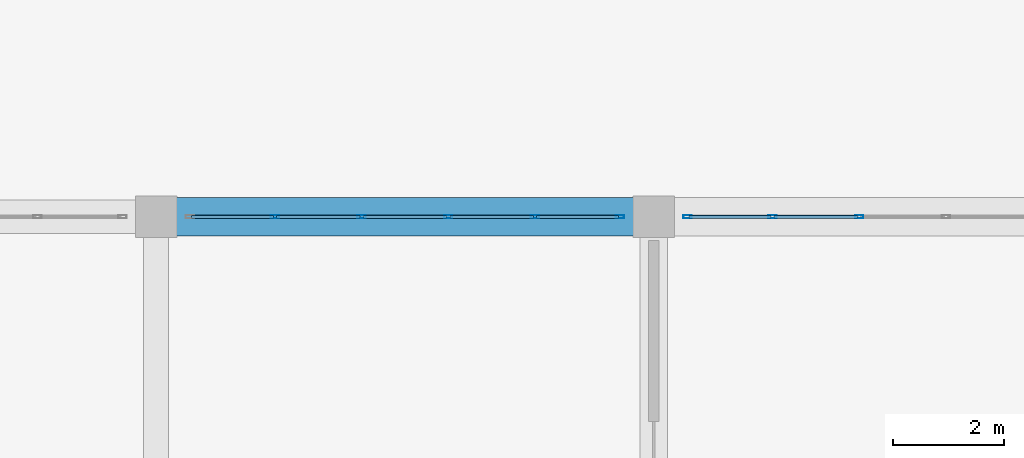
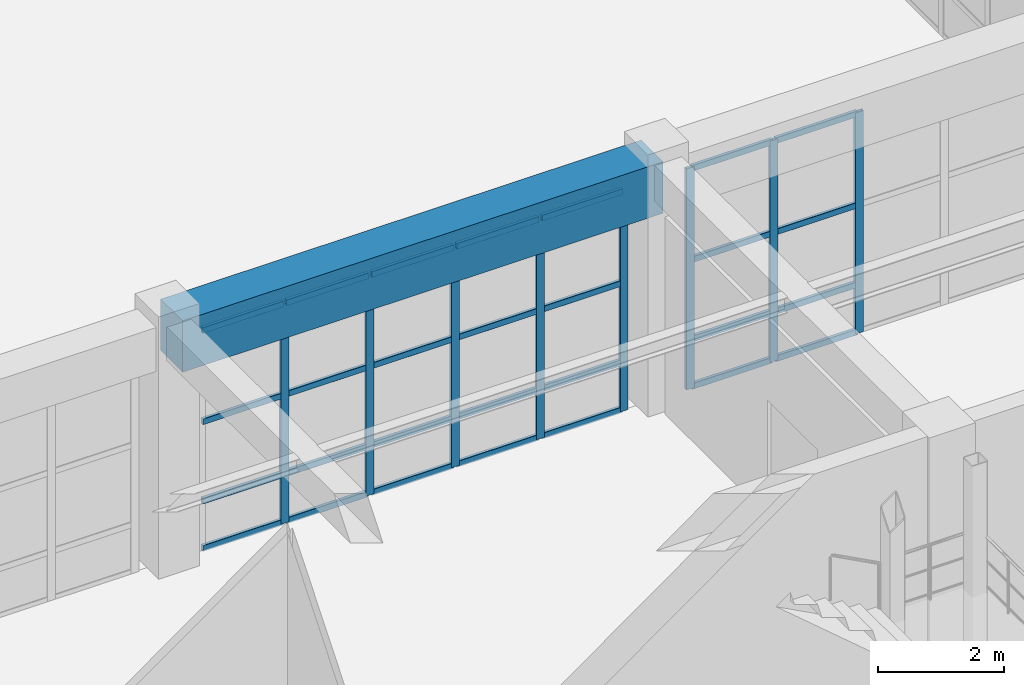
# One storey, part 57 of 128: 36 members, 1 beam, 2 elements without a shape of their own.
"""IFC4 building model written with IfcOpenShell, lengths in metres."""

import ifcopenshell
import ifcopenshell.guid

model = None  # the IFC model being written
_history = None  # IfcOwnerHistory: only IFC2X3 demands one
_inside = {}  # id of a spatial element -> (the spatial element, [elements in it])
_under = {}  # id of a project, library or spatial element -> (it, [spatial elements below it])
_declared = {}  # id of a project -> (the project, [libraries it declares])
_typed = {}  # id of a type object -> (the type object, [elements of that type])
_made_of = {}  # id of a material, layer set ... -> (it, [elements and type objects made of it])


def new_model(schema):
    """Start an empty IFC model of exactly this schema.

    Asked for "IFC4X3", IfcOpenShell would pick the latest addendum, in which some entities
    have other attributes; the version numbers below select the first issue.
    IFC2X3 requires an IfcOwnerHistory on every rooted entity: one is made here for all.
    """
    global model, _history
    if schema == "IFC4X3":
        model = ifcopenshell.file(schema_version=(4, 3, 0, 0))
    else:
        model = ifcopenshell.file(schema=schema)
    _inside.clear()
    _under.clear()
    _declared.clear()
    _typed.clear()
    _made_of.clear()
    _history = None
    if model.schema == "IFC2X3":
        org = make("IfcOrganization", Name="unknown")
        user = make(
            "IfcPersonAndOrganization",
            ThePerson=make("IfcPerson", FamilyName="unknown"),
            TheOrganization=org,
        )
        app = make(
            "IfcApplication",
            ApplicationDeveloper=org,
            Version="unknown",
            ApplicationFullName="unknown",
            ApplicationIdentifier="unknown",
        )
        _history = make(
            "IfcOwnerHistory",
            OwningUser=user,
            OwningApplication=app,
            ChangeAction="ADDED",
            CreationDate=0,
        )
    return model


def make(cls, **values):
    """One entity of the class cls with the attributes given. An attribute that is None is left unset."""
    return model.create_entity(
        cls, **{name: value for name, value in values.items() if value is not None}
    )


def rooted(cls, **values):
    """An entity with a GlobalId (a new one), such as an element, a storey or a relation."""
    return make(cls, GlobalId=ifcopenshell.guid.new(), OwnerHistory=_history, **values)


def si_unit(unit_type, name, prefix=None):
    """IfcSIUnit, for example si_unit("LENGTHUNIT", "METRE", prefix="MILLI")."""
    return make("IfcSIUnit", UnitType=unit_type, Prefix=prefix, Name=name)


def assignment(units):
    """IfcUnitAssignment: the units of a project."""
    return None if units is None else make("IfcUnitAssignment", Units=units)


def point(xyz):
    """IfcCartesianPoint."""
    return None if xyz is None else make("IfcCartesianPoint", Coordinates=xyz)


def direction(xyz):
    """IfcDirection."""
    return None if xyz is None else make("IfcDirection", DirectionRatios=xyz)


def frame(location, z_axis=None, x_axis=None):
    """IfcAxis2Placement3D, a coordinate frame: its origin and axes. An axis left out is left unset."""
    return make(
        "IfcAxis2Placement3D",
        Location=point(location),
        Axis=direction(z_axis),
        RefDirection=direction(x_axis),
    )


def frame_2d(location, x_axis=None):
    """IfcAxis2Placement2D, a coordinate frame in the plane: its origin and x axis."""
    return make(
        "IfcAxis2Placement2D", Location=point(location), RefDirection=direction(x_axis)
    )


def origin():
    """The frame at (0, 0, 0) with its axes left unset."""
    return frame((0.0, 0.0, 0.0))


def origin_2d():
    """The frame at (0, 0) in the plane with its x axis left unset."""
    return frame_2d((0.0, 0.0))


def place(relative_to, where):
    """IfcLocalPlacement: puts the frame where relative to a parent placement (None: the world)."""
    return make(
        "IfcLocalPlacement", PlacementRelTo=relative_to, RelativePlacement=where
    )


def context(
    kind, dimensions, precision=None, world=None, true_north=None, identifier=None
):
    """IfcGeometricRepresentationContext, for example the 3D "Model" context."""
    return make(
        "IfcGeometricRepresentationContext",
        ContextIdentifier=identifier,
        ContextType=kind,
        CoordinateSpaceDimension=dimensions,
        Precision=precision,
        WorldCoordinateSystem=world,
        TrueNorth=true_north,
    )


def subcontext(parent, identifier, kind, view, scale=None):
    """IfcGeometricRepresentationSubContext, for example "Body" below "Model"."""
    return make(
        "IfcGeometricRepresentationSubContext",
        ContextIdentifier=identifier,
        ContextType=kind,
        ParentContext=parent,
        TargetScale=scale,
        TargetView=view,
    )


def project(units=None, contexts=None):
    """IfcProject with its units and contexts."""
    return rooted(
        "IfcProject",
        Name="project",
        RepresentationContexts=contexts,
        UnitsInContext=assignment(units),
    )


def spatial(cls, under=None, at=None, **own):
    """A site, building, storey or space (cls), placed at a placement, below another one or the project."""
    s = rooted(cls, ObjectPlacement=at, **own)
    if under is not None:
        _under.setdefault(under.id(), (under, []))[1].append(s)
    return s


def profile(cls, at=None, kind="AREA", **sizes):
    """A parametric profile (cls). Its sizes go by their IFC names, for example OverallWidth=200.0."""
    return make(cls, ProfileType=kind, Position=at, **sizes)


def rectangle(**sizes):
    """IfcRectangleProfileDef."""
    return profile("IfcRectangleProfileDef", **sizes)


def hollow_rectangle(**sizes):
    """IfcRectangleHollowProfileDef."""
    return profile("IfcRectangleHollowProfileDef", **sizes)


def extrude(swept, where, along, depth):
    """IfcExtrudedAreaSolid: the profile swept, set in the frame where, extruded along a direction by depth."""
    return make(
        "IfcExtrudedAreaSolid",
        SweptArea=swept,
        Position=where,
        ExtrudedDirection=direction(along),
        Depth=depth,
    )


def shape(context_of_items, identifier, shape_type, items):
    """IfcShapeRepresentation: the items that make up one representation, for example the "Body"."""
    return make(
        "IfcShapeRepresentation",
        ContextOfItems=context_of_items,
        RepresentationIdentifier=identifier,
        RepresentationType=shape_type,
        Items=items,
    )


def material(Name=None, Category=None):
    """IfcMaterial."""
    return make("IfcMaterial", Name=Name, Category=Category)


def material_profile(
    of_material, cross_section, Name=None, Category=None, Priority=None
):
    """IfcMaterialProfile: a cross section and its material."""
    return make(
        "IfcMaterialProfile",
        Name=Name,
        Material=of_material,
        Profile=cross_section,
        Priority=Priority,
        Category=Category,
    )


def profile_set(profiles, Name=None, composite=None):
    """IfcMaterialProfileSet."""
    return make(
        "IfcMaterialProfileSet",
        Name=Name,
        MaterialProfiles=profiles,
        CompositeProfile=composite,
    )


def made_of(thing, what):
    """Note that an element or type object is made of a material, layer set ...; save() writes the relation."""
    if what is not None:
        _made_of.setdefault(what.id(), (what, []))[1].append(thing)
    return thing


def type_object(cls, material=None, **own):
    """A type object (cls), such as IfcWallType, which elements share."""
    return made_of(rooted(cls, **own), material)


def element(
    cls,
    number,
    at=None,
    inside=None,
    cuts=None,
    type_object=None,
    material=None,
    context=None,
    identifier="Body",
    shape_type=None,
    held_by="IfcProductDefinitionShape",
    body=None,
    shapes=None,
    **own,
):
    """One element of the class cls, such as IfcWall. Its Tag is "e" and its number.

    at: its placement. inside: the storey or other place that contains it. cuts: it is an
    opening in that element (IfcRelVoidsElement). A single representation is given by context,
    identifier, shape_type and body (its items); several are given by shapes. held_by: the class
    of the entity that holds the representations. save() writes the other relations.
    """
    e = rooted(cls, Tag="e%d" % number, ObjectPlacement=at, **own)
    if body is not None:
        shapes = [shape(context, identifier, shape_type, body)]
    if shapes is not None:
        e.Representation = make(held_by, Representations=shapes)
    if inside is not None:
        _inside.setdefault(inside.id(), (inside, []))[1].append(e)
    if cuts is not None:
        rooted(
            "IfcRelVoidsElement", RelatingBuildingElement=cuts, RelatedOpeningElement=e
        )
    if type_object is not None:
        _typed.setdefault(type_object.id(), (type_object, []))[1].append(e)
    return made_of(e, material)


def aggregate(whole, parts):
    """IfcRelAggregates: a whole, such as a stair, and the parts it consists of."""
    return rooted("IfcRelAggregates", RelatingObject=whole, RelatedObjects=parts)


def save(model, path):
    """Write the relations noted so far, then the file.

    IfcRelAggregates (storeys below a building ...), IfcRelContainedInSpatialStructure (elements
    in a storey), IfcRelDefinesByType, IfcRelAssociatesMaterial and IfcRelDeclares: one each for
    every whole, place, type object, material and project.
    """
    for whole, parts in _under.values():
        aggregate(whole, parts)
    for where, things in _inside.values():
        rooted(
            "IfcRelContainedInSpatialStructure",
            RelatedElements=things,
            RelatingStructure=where,
        )
    for kind, things in _typed.values():
        rooted("IfcRelDefinesByType", RelatedObjects=things, RelatingType=kind)
    for what, things in _made_of.values():
        rooted("IfcRelAssociatesMaterial", RelatedObjects=things, RelatingMaterial=what)
    for by, libraries in _declared.values():
        rooted("IfcRelDeclares", RelatingContext=by, RelatedDefinitions=libraries)
    model.write(path)


model = new_model("IFC4")

# Units and contexts
model_context = context("Model", 3, precision=1e-05, world=origin(), true_north=direction((0.0, 1.0)))
body_context = subcontext(model_context, "Body", "Model", "MODEL_VIEW")
ifc_project = project(units=[si_unit("LENGTHUNIT", "METRE"), si_unit("AREAUNIT", "SQUARE_METRE"), si_unit("VOLUMEUNIT", "CUBIC_METRE"), si_unit("PLANEANGLEUNIT", "RADIAN"), si_unit("MASSUNIT", "GRAM", prefix="KILO")], contexts=[model_context])

# Site, building, storey
site_placement = place(None, origin())
site = spatial("IfcSite", under=ifc_project, at=site_placement, CompositionType="ELEMENT")
building_placement = place(site_placement, origin())
building = spatial("IfcBuilding", under=site, at=building_placement, Name="Miravela Opera House", CompositionType="ELEMENT")
storey_placement = place(building_placement, origin())
storey = spatial("IfcBuildingStorey", under=building, at=storey_placement, Name="L00", CompositionType="ELEMENT", Elevation=0.0)

# Curtain wall, members
ifc_material_1 = material(Name="Anodised architectural bronze aluminium 6063-T6", Category="aluminium")
curtain_wall_type = type_object("IfcCurtainWallType", Name="ARC-CW-04", PredefinedType="NOTDEFINED", material=ifc_material_1)
curtain_wall_1_placement = place(storey_placement, origin())
curtain_wall_1 = element("IfcCurtainWall", 1, at=curtain_wall_1_placement, inside=storey, type_object=curtain_wall_type, Name="Courtyard Arcade Curtain Wall CW-L00-069", PredefinedType="NOTDEFINED")
ifc_material_profile_1 = material_profile(ifc_material_1, hollow_rectangle(XDim=0.06005859375, YDim=0.14990234375, WallThickness=0.00390625, InnerFilletRadius=0.001953125, OuterFilletRadius=0.00390625, at=origin_2d()), Name="CWM-60X150")
ifc_profile_set_1 = profile_set([ifc_material_profile_1])
member_type_1 = type_object("IfcMemberType", Name="ARC-CWM-150", PredefinedType="MULLION", material=ifc_profile_set_1)
member_1_placement = place(storey_placement, frame((47.14794921875, 84.0, 0.0), z_axis=(0.0, 0.0, 1.0), x_axis=(0.0, 1.0, 0.0)))
member_1 = element("IfcMember", 2, at=member_1_placement, type_object=member_type_1, Name="CW-04 mullion 2", PredefinedType="MULLION", context=body_context, shape_type="SweptSolid", body=[
    extrude(hollow_rectangle(XDim=0.06005859375, YDim=0.14990234375, WallThickness=0.00390625, InnerFilletRadius=0.001953125, OuterFilletRadius=0.00390625, at=origin_2d()), origin(), (0.0, 0.0, 1.0), 4.300048828125),
])
member_2_placement = place(storey_placement, frame((48.716064453125, 84.0, 0.0), z_axis=(0.0, 0.0, 1.0), x_axis=(0.0, 1.0, 0.0)))
member_2 = element("IfcMember", 3, at=member_2_placement, type_object=member_type_1, Name="CW-04 mullion 3", PredefinedType="MULLION", context=body_context, shape_type="SweptSolid", body=[
    extrude(hollow_rectangle(XDim=0.06005859375, YDim=0.14990234375, WallThickness=0.00390625, InnerFilletRadius=0.001953125, OuterFilletRadius=0.00390625, at=origin_2d()), origin(), (0.0, 0.0, 1.0), 4.300048828125),
])
member_3_placement = place(storey_placement, frame((50.283935546875, 84.0, 0.0), z_axis=(0.0, 0.0, 1.0), x_axis=(0.0, 1.0, 0.0)))
member_3 = element("IfcMember", 4, at=member_3_placement, type_object=member_type_1, Name="CW-04 mullion 4", PredefinedType="MULLION", context=body_context, shape_type="SweptSolid", body=[
    extrude(hollow_rectangle(XDim=0.06005859375, YDim=0.14990234375, WallThickness=0.00390625, InnerFilletRadius=0.001953125, OuterFilletRadius=0.00390625, at=origin_2d()), origin(), (0.0, 0.0, 1.0), 4.300048828125),
])
member_4_placement = place(storey_placement, frame((51.85205078125, 84.0, 0.0), z_axis=(0.0, 0.0, 1.0), x_axis=(0.0, 1.0, 0.0)))
member_4 = element("IfcMember", 5, at=member_4_placement, type_object=member_type_1, Name="CW-04 mullion 5", PredefinedType="MULLION", context=body_context, shape_type="SweptSolid", body=[
    extrude(hollow_rectangle(XDim=0.06005859375, YDim=0.14990234375, WallThickness=0.00390625, InnerFilletRadius=0.001953125, OuterFilletRadius=0.00390625, at=origin_2d()), origin(), (0.0, 0.0, 1.0), 4.300048828125),
])
member_5_placement = place(storey_placement, frame((53.389892578125, 84.0, 0.0), z_axis=(0.0, 0.0, 1.0), x_axis=(0.0, 1.0, 0.0)))
member_5 = element("IfcMember", 6, at=member_5_placement, type_object=member_type_1, Name="CW-04 mullion 6", PredefinedType="MULLION", context=body_context, shape_type="SweptSolid", body=[
    extrude(hollow_rectangle(XDim=0.06005859375, YDim=0.14990234375, WallThickness=0.00390625, InnerFilletRadius=0.001953125, OuterFilletRadius=0.00390625, at=origin_2d()), origin(), (0.0, 0.0, 1.0), 4.300048828125),
])

curtain_wall_2_placement = place(storey_placement, origin())
curtain_wall_2 = element("IfcCurtainWall", 7, at=curtain_wall_2_placement, inside=storey, type_object=curtain_wall_type, Name="Courtyard Arcade Curtain Wall CW-L00-070", PredefinedType="NOTDEFINED")
member_6_placement = place(storey_placement, frame((54.610107421875, 84.0, 0.0), z_axis=(0.0, 0.0, 1.0), x_axis=(0.0, 1.0, 0.0)))
member_6 = element("IfcMember", 8, at=member_6_placement, type_object=member_type_1, Name="CW-04 mullion 1", PredefinedType="MULLION", context=body_context, shape_type="SweptSolid", body=[
    extrude(hollow_rectangle(XDim=0.06005859375, YDim=0.14990234375, WallThickness=0.00390625, InnerFilletRadius=0.001953125, OuterFilletRadius=0.00390625, at=origin_2d()), origin(), (0.0, 0.0, 1.0), 4.300048828125),
])
member_7_placement = place(storey_placement, frame((56.14794921875, 84.0, 0.0), z_axis=(0.0, 0.0, 1.0), x_axis=(0.0, 1.0, 0.0)))
member_7 = element("IfcMember", 9, at=member_7_placement, type_object=member_type_1, Name="CW-04 mullion 2", PredefinedType="MULLION", context=body_context, shape_type="SweptSolid", body=[
    extrude(hollow_rectangle(XDim=0.06005859375, YDim=0.14990234375, WallThickness=0.00390625, InnerFilletRadius=0.001953125, OuterFilletRadius=0.00390625, at=origin_2d()), origin(), (0.0, 0.0, 1.0), 4.300048828125),
])
member_8_placement = place(storey_placement, frame((57.716064453125, 84.0, 0.0), z_axis=(0.0, 0.0, 1.0), x_axis=(0.0, 1.0, 0.0)))
member_8 = element("IfcMember", 10, at=member_8_placement, type_object=member_type_1, Name="CW-04 mullion 3", PredefinedType="MULLION", context=body_context, shape_type="SweptSolid", body=[
    extrude(hollow_rectangle(XDim=0.06005859375, YDim=0.14990234375, WallThickness=0.00390625, InnerFilletRadius=0.001953125, OuterFilletRadius=0.00390625, at=origin_2d()), origin(), (0.0, 0.0, 1.0), 4.300048828125),
])

# Member
ifc_material_profile_2 = material_profile(ifc_material_1, hollow_rectangle(XDim=0.06005859375, YDim=0.114990234375, WallThickness=0.00390625, InnerFilletRadius=0.001953125, OuterFilletRadius=0.00390625, at=origin_2d()), Name="CWT-60X115")
ifc_profile_set_2 = profile_set([ifc_material_profile_2])
member_type_2 = type_object("IfcMemberType", Name="ARC-CWT-115", PredefinedType="USERDEFINED", material=ifc_profile_set_2)
member_9_placement = place(storey_placement, frame((45.639892578125, 84.0, 0.030029296875), z_axis=(1.0, 0.0, 0.0), x_axis=(0.0, 1.0, 0.0)))
member_9 = element("IfcMember", 11, at=member_9_placement, type_object=member_type_2, Name="CW-04 transom 1.1", ObjectType="TRANSOM", PredefinedType="USERDEFINED", context=body_context, shape_type="SweptSolid", body=[
    extrude(hollow_rectangle(XDim=0.06005859375, YDim=0.114990234375, WallThickness=0.00390625, InnerFilletRadius=0.001953125, OuterFilletRadius=0.00390625, at=origin_2d()), origin(), (0.0, 0.0, 1.0), 1.47802734375),
])

member_10_placement = place(storey_placement, frame((45.639892578125, 84.0, 0.949951171875), z_axis=(1.0, 0.0, 0.0), x_axis=(0.0, 1.0, 0.0)))
member_10 = element("IfcMember", 12, at=member_10_placement, type_object=member_type_2, Name="CW-04 transom 1.2", ObjectType="TRANSOM", PredefinedType="USERDEFINED", context=body_context, shape_type="SweptSolid", body=[
    extrude(hollow_rectangle(XDim=0.06005859375, YDim=0.114990234375, WallThickness=0.00390625, InnerFilletRadius=0.001953125, OuterFilletRadius=0.00390625, at=origin_2d()), origin(), (0.0, 0.0, 1.0), 1.47802734375),
])

member_11_placement = place(storey_placement, frame((45.639892578125, 84.0, 2.493896484375), z_axis=(1.0, 0.0, 0.0), x_axis=(0.0, 1.0, 0.0)))
member_11 = element("IfcMember", 13, at=member_11_placement, type_object=member_type_2, Name="CW-04 transom 1.3", ObjectType="TRANSOM", PredefinedType="USERDEFINED", context=body_context, shape_type="SweptSolid", body=[
    extrude(hollow_rectangle(XDim=0.06005859375, YDim=0.114990234375, WallThickness=0.00390625, InnerFilletRadius=0.001953125, OuterFilletRadius=0.00390625, at=origin_2d()), origin(), (0.0, 0.0, 1.0), 1.47802734375),
])

member_12_placement = place(storey_placement, frame((45.639892578125, 84.0, 4.27001953125), z_axis=(1.0, 0.0, 0.0), x_axis=(0.0, 1.0, 0.0)))
member_12 = element("IfcMember", 14, at=member_12_placement, type_object=member_type_2, Name="CW-04 transom 1.4", ObjectType="TRANSOM", PredefinedType="USERDEFINED", context=body_context, shape_type="SweptSolid", body=[
    extrude(hollow_rectangle(XDim=0.06005859375, YDim=0.114990234375, WallThickness=0.00390625, InnerFilletRadius=0.001953125, OuterFilletRadius=0.00390625, at=origin_2d()), origin(), (0.0, 0.0, 1.0), 1.47802734375),
])

member_13_placement = place(storey_placement, frame((47.177978515625, 84.0, 0.030029296875), z_axis=(1.0, 0.0, 0.0), x_axis=(0.0, 1.0, 0.0)))
member_13 = element("IfcMember", 15, at=member_13_placement, type_object=member_type_2, Name="CW-04 transom 2.1", ObjectType="TRANSOM", PredefinedType="USERDEFINED", context=body_context, shape_type="SweptSolid", body=[
    extrude(hollow_rectangle(XDim=0.06005859375, YDim=0.114990234375, WallThickness=0.00390625, InnerFilletRadius=0.001953125, OuterFilletRadius=0.00390625, at=origin_2d()), origin(), (0.0, 0.0, 1.0), 1.508056640625),
])

member_14_placement = place(storey_placement, frame((47.177978515625, 84.0, 0.949951171875), z_axis=(1.0, 0.0, 0.0), x_axis=(0.0, 1.0, 0.0)))
member_14 = element("IfcMember", 16, at=member_14_placement, type_object=member_type_2, Name="CW-04 transom 2.2", ObjectType="TRANSOM", PredefinedType="USERDEFINED", context=body_context, shape_type="SweptSolid", body=[
    extrude(hollow_rectangle(XDim=0.06005859375, YDim=0.114990234375, WallThickness=0.00390625, InnerFilletRadius=0.001953125, OuterFilletRadius=0.00390625, at=origin_2d()), origin(), (0.0, 0.0, 1.0), 1.508056640625),
])

member_15_placement = place(storey_placement, frame((47.177978515625, 84.0, 2.493896484375), z_axis=(1.0, 0.0, 0.0), x_axis=(0.0, 1.0, 0.0)))
member_15 = element("IfcMember", 17, at=member_15_placement, type_object=member_type_2, Name="CW-04 transom 2.3", ObjectType="TRANSOM", PredefinedType="USERDEFINED", context=body_context, shape_type="SweptSolid", body=[
    extrude(hollow_rectangle(XDim=0.06005859375, YDim=0.114990234375, WallThickness=0.00390625, InnerFilletRadius=0.001953125, OuterFilletRadius=0.00390625, at=origin_2d()), origin(), (0.0, 0.0, 1.0), 1.508056640625),
])

member_16_placement = place(storey_placement, frame((47.177978515625, 84.0, 4.27001953125), z_axis=(1.0, 0.0, 0.0), x_axis=(0.0, 1.0, 0.0)))
member_16 = element("IfcMember", 18, at=member_16_placement, type_object=member_type_2, Name="CW-04 transom 2.4", ObjectType="TRANSOM", PredefinedType="USERDEFINED", context=body_context, shape_type="SweptSolid", body=[
    extrude(hollow_rectangle(XDim=0.06005859375, YDim=0.114990234375, WallThickness=0.00390625, InnerFilletRadius=0.001953125, OuterFilletRadius=0.00390625, at=origin_2d()), origin(), (0.0, 0.0, 1.0), 1.508056640625),
])

member_17_placement = place(storey_placement, frame((48.74609375, 84.0, 0.030029296875), z_axis=(1.0, 0.0, 0.0), x_axis=(0.0, 1.0, 0.0)))
member_17 = element("IfcMember", 19, at=member_17_placement, type_object=member_type_2, Name="CW-04 transom 3.1", ObjectType="TRANSOM", PredefinedType="USERDEFINED", context=body_context, shape_type="SweptSolid", body=[
    extrude(hollow_rectangle(XDim=0.06005859375, YDim=0.114990234375, WallThickness=0.00390625, InnerFilletRadius=0.001953125, OuterFilletRadius=0.00390625, at=origin_2d()), origin(), (0.0, 0.0, 1.0), 1.5078125),
])

member_18_placement = place(storey_placement, frame((48.74609375, 84.0, 0.949951171875), z_axis=(1.0, 0.0, 0.0), x_axis=(0.0, 1.0, 0.0)))
member_18 = element("IfcMember", 20, at=member_18_placement, type_object=member_type_2, Name="CW-04 transom 3.2", ObjectType="TRANSOM", PredefinedType="USERDEFINED", context=body_context, shape_type="SweptSolid", body=[
    extrude(hollow_rectangle(XDim=0.06005859375, YDim=0.114990234375, WallThickness=0.00390625, InnerFilletRadius=0.001953125, OuterFilletRadius=0.00390625, at=origin_2d()), origin(), (0.0, 0.0, 1.0), 1.5078125),
])

member_19_placement = place(storey_placement, frame((48.74609375, 84.0, 2.493896484375), z_axis=(1.0, 0.0, 0.0), x_axis=(0.0, 1.0, 0.0)))
member_19 = element("IfcMember", 21, at=member_19_placement, type_object=member_type_2, Name="CW-04 transom 3.3", ObjectType="TRANSOM", PredefinedType="USERDEFINED", context=body_context, shape_type="SweptSolid", body=[
    extrude(hollow_rectangle(XDim=0.06005859375, YDim=0.114990234375, WallThickness=0.00390625, InnerFilletRadius=0.001953125, OuterFilletRadius=0.00390625, at=origin_2d()), origin(), (0.0, 0.0, 1.0), 1.5078125),
])

member_20_placement = place(storey_placement, frame((48.74609375, 84.0, 4.27001953125), z_axis=(1.0, 0.0, 0.0), x_axis=(0.0, 1.0, 0.0)))
member_20 = element("IfcMember", 22, at=member_20_placement, type_object=member_type_2, Name="CW-04 transom 3.4", ObjectType="TRANSOM", PredefinedType="USERDEFINED", context=body_context, shape_type="SweptSolid", body=[
    extrude(hollow_rectangle(XDim=0.06005859375, YDim=0.114990234375, WallThickness=0.00390625, InnerFilletRadius=0.001953125, OuterFilletRadius=0.00390625, at=origin_2d()), origin(), (0.0, 0.0, 1.0), 1.5078125),
])

member_21_placement = place(storey_placement, frame((50.31396484375, 84.0, 0.030029296875), z_axis=(1.0, 0.0, 0.0), x_axis=(0.0, 1.0, 0.0)))
member_21 = element("IfcMember", 23, at=member_21_placement, type_object=member_type_2, Name="CW-04 transom 4.1", ObjectType="TRANSOM", PredefinedType="USERDEFINED", context=body_context, shape_type="SweptSolid", body=[
    extrude(hollow_rectangle(XDim=0.06005859375, YDim=0.114990234375, WallThickness=0.00390625, InnerFilletRadius=0.001953125, OuterFilletRadius=0.00390625, at=origin_2d()), origin(), (0.0, 0.0, 1.0), 1.508056640625),
])

member_22_placement = place(storey_placement, frame((50.31396484375, 84.0, 0.949951171875), z_axis=(1.0, 0.0, 0.0), x_axis=(0.0, 1.0, 0.0)))
member_22 = element("IfcMember", 24, at=member_22_placement, type_object=member_type_2, Name="CW-04 transom 4.2", ObjectType="TRANSOM", PredefinedType="USERDEFINED", context=body_context, shape_type="SweptSolid", body=[
    extrude(hollow_rectangle(XDim=0.06005859375, YDim=0.114990234375, WallThickness=0.00390625, InnerFilletRadius=0.001953125, OuterFilletRadius=0.00390625, at=origin_2d()), origin(), (0.0, 0.0, 1.0), 1.508056640625),
])

member_23_placement = place(storey_placement, frame((50.31396484375, 84.0, 2.493896484375), z_axis=(1.0, 0.0, 0.0), x_axis=(0.0, 1.0, 0.0)))
member_23 = element("IfcMember", 25, at=member_23_placement, type_object=member_type_2, Name="CW-04 transom 4.3", ObjectType="TRANSOM", PredefinedType="USERDEFINED", context=body_context, shape_type="SweptSolid", body=[
    extrude(hollow_rectangle(XDim=0.06005859375, YDim=0.114990234375, WallThickness=0.00390625, InnerFilletRadius=0.001953125, OuterFilletRadius=0.00390625, at=origin_2d()), origin(), (0.0, 0.0, 1.0), 1.508056640625),
])

member_24_placement = place(storey_placement, frame((50.31396484375, 84.0, 4.27001953125), z_axis=(1.0, 0.0, 0.0), x_axis=(0.0, 1.0, 0.0)))
member_24 = element("IfcMember", 26, at=member_24_placement, type_object=member_type_2, Name="CW-04 transom 4.4", ObjectType="TRANSOM", PredefinedType="USERDEFINED", context=body_context, shape_type="SweptSolid", body=[
    extrude(hollow_rectangle(XDim=0.06005859375, YDim=0.114990234375, WallThickness=0.00390625, InnerFilletRadius=0.001953125, OuterFilletRadius=0.00390625, at=origin_2d()), origin(), (0.0, 0.0, 1.0), 1.508056640625),
])

member_25_placement = place(storey_placement, frame((51.882080078125, 84.0, 0.030029296875), z_axis=(1.0, 0.0, 0.0), x_axis=(0.0, 1.0, 0.0)))
member_25 = element("IfcMember", 27, at=member_25_placement, type_object=member_type_2, Name="CW-04 transom 5.1", ObjectType="TRANSOM", PredefinedType="USERDEFINED", context=body_context, shape_type="SweptSolid", body=[
    extrude(hollow_rectangle(XDim=0.06005859375, YDim=0.114990234375, WallThickness=0.00390625, InnerFilletRadius=0.001953125, OuterFilletRadius=0.00390625, at=origin_2d()), origin(), (0.0, 0.0, 1.0), 1.47802734375),
])

member_26_placement = place(storey_placement, frame((51.882080078125, 84.0, 0.949951171875), z_axis=(1.0, 0.0, 0.0), x_axis=(0.0, 1.0, 0.0)))
member_26 = element("IfcMember", 28, at=member_26_placement, type_object=member_type_2, Name="CW-04 transom 5.2", ObjectType="TRANSOM", PredefinedType="USERDEFINED", context=body_context, shape_type="SweptSolid", body=[
    extrude(hollow_rectangle(XDim=0.06005859375, YDim=0.114990234375, WallThickness=0.00390625, InnerFilletRadius=0.001953125, OuterFilletRadius=0.00390625, at=origin_2d()), origin(), (0.0, 0.0, 1.0), 1.47802734375),
])

member_27_placement = place(storey_placement, frame((51.882080078125, 84.0, 2.493896484375), z_axis=(1.0, 0.0, 0.0), x_axis=(0.0, 1.0, 0.0)))
member_27 = element("IfcMember", 29, at=member_27_placement, type_object=member_type_2, Name="CW-04 transom 5.3", ObjectType="TRANSOM", PredefinedType="USERDEFINED", context=body_context, shape_type="SweptSolid", body=[
    extrude(hollow_rectangle(XDim=0.06005859375, YDim=0.114990234375, WallThickness=0.00390625, InnerFilletRadius=0.001953125, OuterFilletRadius=0.00390625, at=origin_2d()), origin(), (0.0, 0.0, 1.0), 1.47802734375),
])

member_28_placement = place(storey_placement, frame((51.882080078125, 84.0, 4.27001953125), z_axis=(1.0, 0.0, 0.0), x_axis=(0.0, 1.0, 0.0)))
member_28 = element("IfcMember", 30, at=member_28_placement, type_object=member_type_2, Name="CW-04 transom 5.4", ObjectType="TRANSOM", PredefinedType="USERDEFINED", context=body_context, shape_type="SweptSolid", body=[
    extrude(hollow_rectangle(XDim=0.06005859375, YDim=0.114990234375, WallThickness=0.00390625, InnerFilletRadius=0.001953125, OuterFilletRadius=0.00390625, at=origin_2d()), origin(), (0.0, 0.0, 1.0), 1.47802734375),
])

aggregate(curtain_wall_1, [member_1, member_2, member_3, member_4, member_5, member_9, member_10, member_11, member_12, member_13, member_14, member_15, member_16, member_17, member_18, member_19, member_20, member_21, member_22, member_23, member_24, member_25, member_26, member_27, member_28])

member_29_placement = place(storey_placement, frame((54.639892578125, 84.0, 0.030029296875), z_axis=(1.0, 0.0, 0.0), x_axis=(0.0, 1.0, 0.0)))
member_29 = element("IfcMember", 31, at=member_29_placement, type_object=member_type_2, Name="CW-04 transom 1.1", ObjectType="TRANSOM", PredefinedType="USERDEFINED", context=body_context, shape_type="SweptSolid", body=[
    extrude(hollow_rectangle(XDim=0.06005859375, YDim=0.114990234375, WallThickness=0.00390625, InnerFilletRadius=0.001953125, OuterFilletRadius=0.00390625, at=origin_2d()), origin(), (0.0, 0.0, 1.0), 1.47802734375),
])

member_30_placement = place(storey_placement, frame((54.639892578125, 84.0, 0.949951171875), z_axis=(1.0, 0.0, 0.0), x_axis=(0.0, 1.0, 0.0)))
member_30 = element("IfcMember", 32, at=member_30_placement, type_object=member_type_2, Name="CW-04 transom 1.2", ObjectType="TRANSOM", PredefinedType="USERDEFINED", context=body_context, shape_type="SweptSolid", body=[
    extrude(hollow_rectangle(XDim=0.06005859375, YDim=0.114990234375, WallThickness=0.00390625, InnerFilletRadius=0.001953125, OuterFilletRadius=0.00390625, at=origin_2d()), origin(), (0.0, 0.0, 1.0), 1.47802734375),
])

member_31_placement = place(storey_placement, frame((54.639892578125, 84.0, 2.493896484375), z_axis=(1.0, 0.0, 0.0), x_axis=(0.0, 1.0, 0.0)))
member_31 = element("IfcMember", 33, at=member_31_placement, type_object=member_type_2, Name="CW-04 transom 1.3", ObjectType="TRANSOM", PredefinedType="USERDEFINED", context=body_context, shape_type="SweptSolid", body=[
    extrude(hollow_rectangle(XDim=0.06005859375, YDim=0.114990234375, WallThickness=0.00390625, InnerFilletRadius=0.001953125, OuterFilletRadius=0.00390625, at=origin_2d()), origin(), (0.0, 0.0, 1.0), 1.47802734375),
])

member_32_placement = place(storey_placement, frame((54.639892578125, 84.0, 4.27001953125), z_axis=(1.0, 0.0, 0.0), x_axis=(0.0, 1.0, 0.0)))
member_32 = element("IfcMember", 34, at=member_32_placement, type_object=member_type_2, Name="CW-04 transom 1.4", ObjectType="TRANSOM", PredefinedType="USERDEFINED", context=body_context, shape_type="SweptSolid", body=[
    extrude(hollow_rectangle(XDim=0.06005859375, YDim=0.114990234375, WallThickness=0.00390625, InnerFilletRadius=0.001953125, OuterFilletRadius=0.00390625, at=origin_2d()), origin(), (0.0, 0.0, 1.0), 1.47802734375),
])

member_33_placement = place(storey_placement, frame((56.177978515625, 84.0, 0.030029296875), z_axis=(1.0, 0.0, 0.0), x_axis=(0.0, 1.0, 0.0)))
member_33 = element("IfcMember", 35, at=member_33_placement, type_object=member_type_2, Name="CW-04 transom 2.1", ObjectType="TRANSOM", PredefinedType="USERDEFINED", context=body_context, shape_type="SweptSolid", body=[
    extrude(hollow_rectangle(XDim=0.06005859375, YDim=0.114990234375, WallThickness=0.00390625, InnerFilletRadius=0.001953125, OuterFilletRadius=0.00390625, at=origin_2d()), origin(), (0.0, 0.0, 1.0), 1.508056640625),
])

member_34_placement = place(storey_placement, frame((56.177978515625, 84.0, 0.949951171875), z_axis=(1.0, 0.0, 0.0), x_axis=(0.0, 1.0, 0.0)))
member_34 = element("IfcMember", 36, at=member_34_placement, type_object=member_type_2, Name="CW-04 transom 2.2", ObjectType="TRANSOM", PredefinedType="USERDEFINED", context=body_context, shape_type="SweptSolid", body=[
    extrude(hollow_rectangle(XDim=0.06005859375, YDim=0.114990234375, WallThickness=0.00390625, InnerFilletRadius=0.001953125, OuterFilletRadius=0.00390625, at=origin_2d()), origin(), (0.0, 0.0, 1.0), 1.508056640625),
])

member_35_placement = place(storey_placement, frame((56.177978515625, 84.0, 2.493896484375), z_axis=(1.0, 0.0, 0.0), x_axis=(0.0, 1.0, 0.0)))
member_35 = element("IfcMember", 37, at=member_35_placement, type_object=member_type_2, Name="CW-04 transom 2.3", ObjectType="TRANSOM", PredefinedType="USERDEFINED", context=body_context, shape_type="SweptSolid", body=[
    extrude(hollow_rectangle(XDim=0.06005859375, YDim=0.114990234375, WallThickness=0.00390625, InnerFilletRadius=0.001953125, OuterFilletRadius=0.00390625, at=origin_2d()), origin(), (0.0, 0.0, 1.0), 1.508056640625),
])

member_36_placement = place(storey_placement, frame((56.177978515625, 84.0, 4.27001953125), z_axis=(1.0, 0.0, 0.0), x_axis=(0.0, 1.0, 0.0)))
member_36 = element("IfcMember", 38, at=member_36_placement, type_object=member_type_2, Name="CW-04 transom 2.4", ObjectType="TRANSOM", PredefinedType="USERDEFINED", context=body_context, shape_type="SweptSolid", body=[
    extrude(hollow_rectangle(XDim=0.06005859375, YDim=0.114990234375, WallThickness=0.00390625, InnerFilletRadius=0.001953125, OuterFilletRadius=0.00390625, at=origin_2d()), origin(), (0.0, 0.0, 1.0), 1.508056640625),
])

aggregate(curtain_wall_2, [member_6, member_7, member_8, member_29, member_30, member_31, member_32, member_33, member_34, member_35, member_36])

# Beam
ifc_material_2 = material(Name="Concrete C40/50", Category="concrete")
ifc_material_profile_3 = material_profile(ifc_material_2, rectangle(XDim=0.699951171875, YDim=1.0, at=origin_2d()), Name="RC-BM-700X1000")
ifc_profile_set_3 = profile_set([ifc_material_profile_3])
beam_type = type_object("IfcBeamType", Name="STR-BM-RC700X1000", PredefinedType="BEAM", material=ifc_profile_set_3)
beam_placement = place(storey_placement, frame((45.080078125, 84.0, 4.35009765625), z_axis=(1.0, 0.0, 0.0), x_axis=(0.0, 1.0, 0.0)))
element("IfcBeam", 39, at=beam_placement, inside=storey, type_object=beam_type, Name="Floor Girder L00 6-7/J", PredefinedType="BEAM", context=body_context, shape_type="SweptSolid", body=[
    extrude(rectangle(XDim=0.699951171875, YDim=1.0, at=origin_2d()), origin(), (0.0, 0.0, 1.0), 8.83984375),
])

save(model, "model.ifc")
